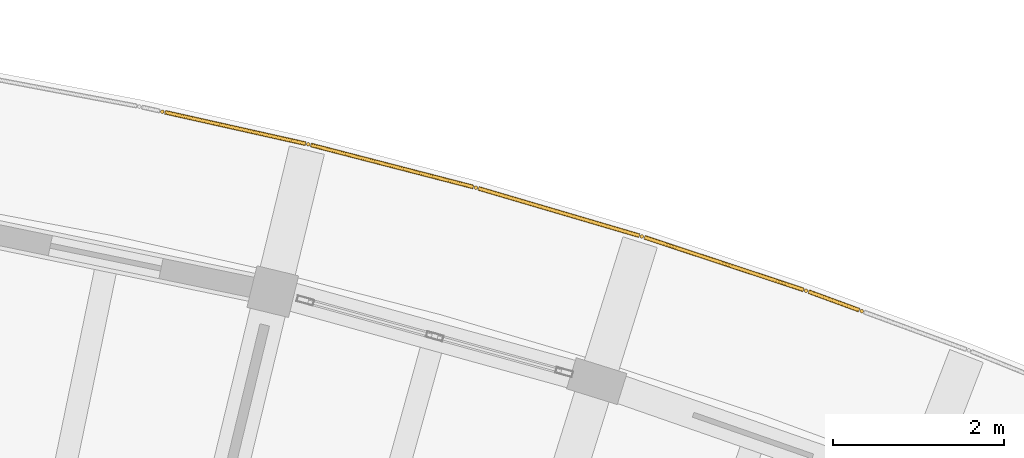
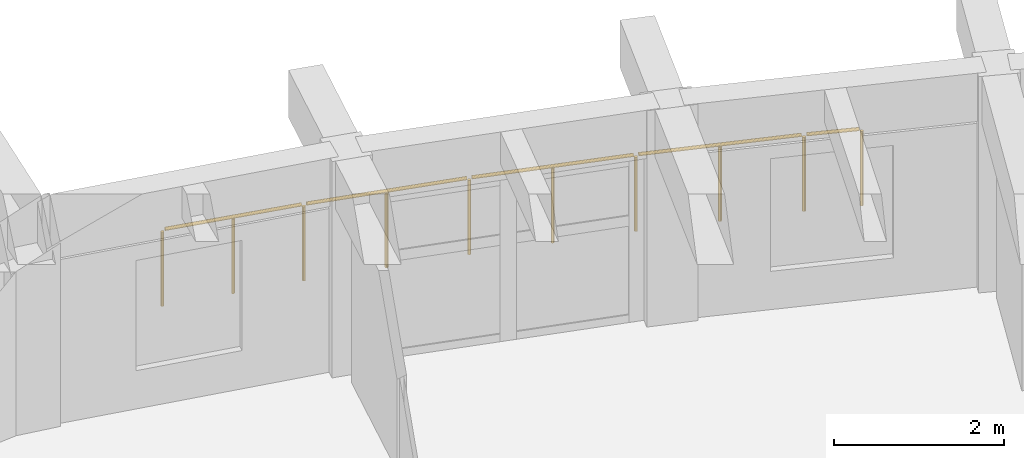
# One storey, part 83 of 83: 1 railing.
"""IFC4 building model written with IfcOpenShell, lengths in metres."""

from ifc_helpers import new_model, si_unit, direction, frame, origin, origin_2d, place, context, subcontext, project, spatial, circle, extrude, material, type_object, element, save


model = new_model("IFC4")

# Units and contexts
model_context = context("Model", 3, precision=1e-05, world=origin(), true_north=direction((0.0, 1.0)))
body_context = subcontext(model_context, "Body", "Model", "MODEL_VIEW")
ifc_project = project(units=[si_unit("LENGTHUNIT", "METRE"), si_unit("AREAUNIT", "SQUARE_METRE"), si_unit("VOLUMEUNIT", "CUBIC_METRE"), si_unit("PLANEANGLEUNIT", "RADIAN"), si_unit("MASSUNIT", "GRAM", prefix="KILO")], contexts=[model_context])

# Site, building, storey
site_placement = place(None, origin())
site = spatial("IfcSite", under=ifc_project, at=site_placement, CompositionType="ELEMENT")
building_placement = place(site_placement, origin())
building = spatial("IfcBuilding", under=site, at=building_placement, Name="Tanwirah Colonnade Gardens", CompositionType="ELEMENT")
storey_placement = place(building_placement, frame((0.0, 0.0, 25.639892578125)))
storey = spatial("IfcBuildingStorey", under=building, at=storey_placement, Name="L07", CompositionType="ELEMENT", Elevation=25.639892578125)

# Railing
ifc_material = material(Name="Precast concrete C40/50", Category="concrete")
railing_type = type_object("IfcRailingType", Name="BAL-EXT112", PredefinedType="BALUSTRADE", material=ifc_material)
railing_placement = place(storey_placement, frame((133.66845703125, 120.193115234375, 0.0)))
element("IfcRailing", 1, at=railing_placement, inside=storey, type_object=railing_type, Name="Block B L07 Balcony Ribbon Balustrade 11", PredefinedType="BALUSTRADE", context=body_context, shape_type="SweptSolid", body=[
    extrude(circle(Radius=0.02392578125, at=origin_2d()), frame((0.030517578125, -0.0068359375, 1.09619140625), z_axis=(0.975863600179, -0.218380937461, 0.0), x_axis=(0.218380937461, 0.975863600179, 0.0)), (0.0, 0.0, 1.0), 1.683837890625),
    extrude(circle(Radius=0.02392578125, at=origin_2d()), frame((1.734375, -0.38916015625, 1.09619140625), z_axis=(0.968157509899, -0.250341838346, 0.0), x_axis=(0.250341838346, 0.968157509899, 0.0)), (0.0, 0.0, 1.0), 1.959228515625),
    extrude(circle(Radius=0.02392578125, at=origin_2d()), frame((3.69140625, -0.896240234375, 1.09619140625), z_axis=(0.959371271211, -0.282146706477, 0.0), x_axis=(0.282146706477, 0.959371271211, 0.0)), (0.0, 0.0, 1.0), 1.958740234375),
    extrude(circle(Radius=0.02392578125, at=origin_2d()), frame((5.63037109375, -1.467529296875, 1.09619140625), z_axis=(0.949537316482, -0.313654084317, 0.0), x_axis=(0.313654084317, 0.949537316482, 0.0)), (0.0, 0.0, 1.0), 1.958984375),
    extrude(circle(Radius=0.02392578125, at=origin_2d()), frame((7.54931640625, -2.1025390625, 1.09619140625), z_axis=(0.93876562734, -0.344556376991, 0.0), x_axis=(0.344556376991, 0.93876562734, 0.0)), (0.0, 0.0, 1.0), 0.626953125),
    extrude(circle(Radius=0.02099609375, at=origin_2d()), origin(), (0.0, 0.0, 1.0), 1.069091796875),
    extrude(circle(Radius=0.02099609375, at=origin_2d()), frame((0.85205078125, -0.190673828125, 0.0)), (0.0, 0.0, 1.0), 1.069091796875),
    extrude(circle(Radius=0.02099609375, at=origin_2d()), frame((1.7041015625, -0.38134765625, 0.0)), (0.0, 0.0, 1.0), 1.069091796875),
    extrude(circle(Radius=0.02099609375, at=origin_2d()), frame((2.6826171875, -0.63427734375, 0.0)), (0.0, 0.0, 1.0), 1.069091796875),
    extrude(circle(Radius=0.02099609375, at=origin_2d()), frame((3.661376953125, -0.887451171875, 0.0)), (0.0, 0.0, 1.0), 1.069091796875),
    extrude(circle(Radius=0.02099609375, at=origin_2d()), frame((4.630859375, -1.172607421875, 0.0)), (0.0, 0.0, 1.0), 1.069091796875),
    extrude(circle(Radius=0.02099609375, at=origin_2d()), frame((5.6005859375, -1.457763671875, 0.0)), (0.0, 0.0, 1.0), 1.069091796875),
    extrude(circle(Radius=0.02099609375, at=origin_2d()), frame((6.560302734375, -1.77490234375, 0.0)), (0.0, 0.0, 1.0), 1.069091796875),
    extrude(circle(Radius=0.02099609375, at=origin_2d()), frame((7.52001953125, -2.091796875, 0.0)), (0.0, 0.0, 1.0), 1.069091796875),
    extrude(circle(Radius=0.02099609375, at=origin_2d()), frame((8.167236328125, -2.329345703125, 0.0)), (0.0, 0.0, 1.0), 1.069091796875),
])

save(model, "model.ifc")
